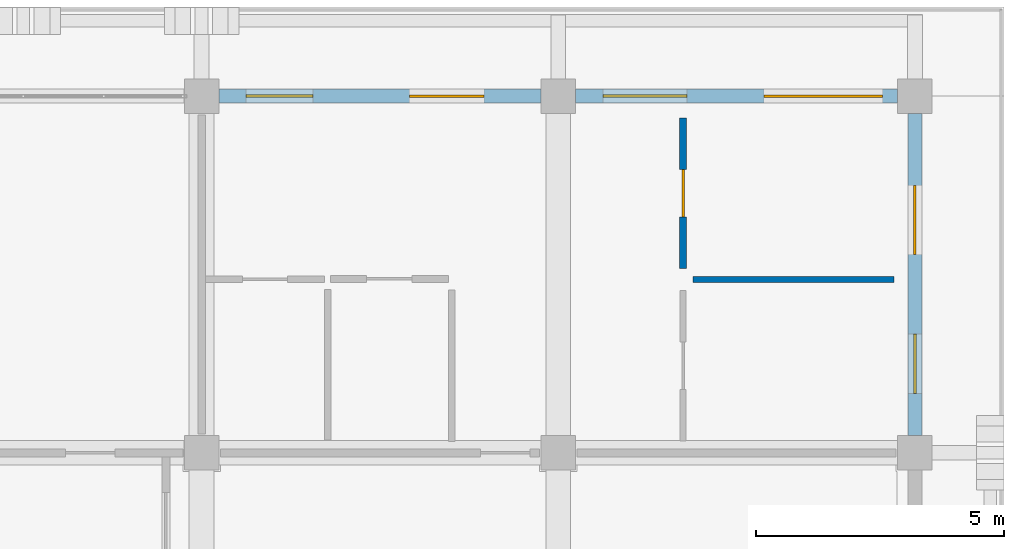
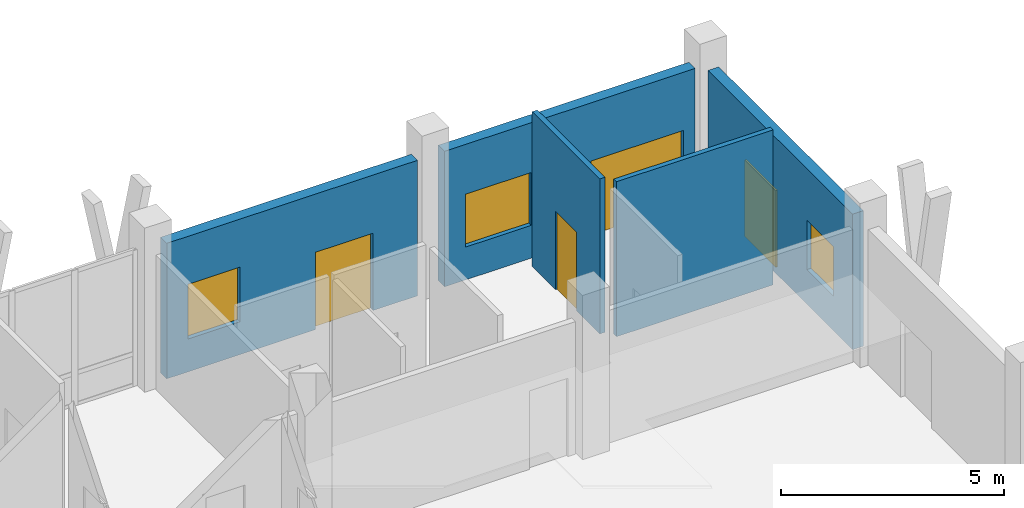
# One storey, part 91 of 110: 5 walls, 4 doors, 3 windows, 7 openings.
"""IFC4 building model written with IfcOpenShell, lengths in metres."""

from ifc_helpers import new_model, si_unit, direction, frame, frame_2d, origin, place, context, subcontext, project, spatial, rectangle, extrude, material, layer, layer_set, type_object, element, fill, save


model = new_model("IFC4")

# Units and contexts
model_context = context("Model", 3, precision=1e-05, world=origin(), true_north=direction((0.0, 1.0)))
body_context = subcontext(model_context, "Body", "Model", "MODEL_VIEW")
ifc_project = project(units=[si_unit("LENGTHUNIT", "METRE"), si_unit("AREAUNIT", "SQUARE_METRE"), si_unit("VOLUMEUNIT", "CUBIC_METRE"), si_unit("PLANEANGLEUNIT", "RADIAN"), si_unit("MASSUNIT", "GRAM", prefix="KILO")], contexts=[model_context])

# Site, building, storey
site_placement = place(None, origin())
site = spatial("IfcSite", under=ifc_project, at=site_placement, CompositionType="ELEMENT")
building_placement = place(site_placement, origin())
building = spatial("IfcBuilding", under=site, at=building_placement, Name="Suanplinth Sawtooth Commons", CompositionType="ELEMENT")
storey_placement = place(building_placement, frame((0.0, 0.0, 4.5)))
storey = spatial("IfcBuildingStorey", under=building, at=storey_placement, Name="L01", CompositionType="ELEMENT", Elevation=4.5)

# Wall, openings, door, window
ifc_material_1 = material(Name="Precast concrete C40/50", Category="concrete")
ifc_layer_1 = layer(ifc_material_1, 0.280029296875, Name="Insulated precast architectural facade wall 280mm")
ifc_layer_set_1 = layer_set([ifc_layer_1], Name="Precast concrete C40/50")
wall_type_1 = type_object("IfcWallType", Name="W-EX01", PredefinedType="ELEMENTEDWALL", material=ifc_layer_set_1)
wall_1_placement = place(storey_placement, frame((173.14990234375, 122.39990234375, 0.0), z_axis=(0.0, 0.0, 1.0), x_axis=(1.0, 0.0, 0.0)))
wall_1 = element("IfcWall", 1, at=wall_1_placement, inside=storey, type_object=wall_type_1, Name="Facade Wall W-L01-B-N-24-16", PredefinedType="ELEMENTEDWALL", context=body_context, shape_type="SweptSolid", body=[
    extrude(rectangle(XDim=6.5, YDim=0.280029296875, at=frame_2d((3.25, 0.0))), origin(), (0.0, 0.0, 1.0), 3.715087890625),
])
opening_1_placement = place(wall_1_placement, frame((3.85009765625, 0.0, 0.0)))
opening_1 = element("IfcOpeningElement", 2, at=opening_1_placement, cuts=wall_1, Name="Opening ED0078", PredefinedType="OPENING", context=body_context, shape_type="SweptSolid", body=[
    extrude(rectangle(XDim=1.5, YDim=2.1201171875, at=frame_2d((0.75, 1.06005859375))), frame((0.0, 0.15478515625, 0.0), z_axis=(0.0, -1.0, 0.0), x_axis=(1.0, 0.0, 0.0)), (0.0, 0.0, 1.0), 0.309814453125),
])
opening_2_placement = place(wall_1_placement, frame((0.550048828125, 0.0, 0.89990234375)))
opening_2 = element("IfcOpeningElement", 3, at=opening_2_placement, cuts=wall_1, Name="Opening W0201", PredefinedType="OPENING", context=body_context, shape_type="SweptSolid", body=[
    extrude(rectangle(XDim=1.35009765625, YDim=1.5, at=frame_2d((0.675048828125, 0.75))), frame((0.0, 0.15478515625, 0.0), z_axis=(0.0, -1.0, 0.0), x_axis=(1.0, 0.0, 0.0)), (0.0, 0.0, 1.0), 0.309814453125),
])
ifc_material_2 = material(Name="Anodized aluminium and low-E glass", Category="aluminium")
door_type_1 = type_object("IfcDoorType", Name="SD-03", OperationType="SLIDING_TO_LEFT", PredefinedType="DOOR", material=ifc_material_2)
door_1_placement = place(opening_1_placement, frame((1.5, 0.0, 0.0), z_axis=(0.0, 0.0, 1.0), x_axis=(-1.0, 0.0, 0.0)))
door_1 = element("IfcDoor", 4, at=door_1_placement, inside=storey, type_object=door_type_1, Name="Balcony Sliding Door L01-B-24", OperationType="SLIDING_TO_LEFT", OverallHeight=2.1201171875, OverallWidth=1.5, PredefinedType="DOOR", context=body_context, shape_type="SweptSolid", body=[
    extrude(rectangle(XDim=1.5, YDim=2.1201171875, at=frame_2d((0.75, 1.06005859375))), frame((0.0, 0.02490234375, 0.0), z_axis=(0.0, -1.0, 0.0), x_axis=(1.0, 0.0, 0.0)), (0.0, 0.0, 1.0), 0.050048828125),
])
fill(opening_1, door_1)
ifc_material_3 = material(Name="Thermally broken aluminium and low-E double glazing", Category="aluminium")
window_type_1 = type_object("IfcWindowType", Name="WN-14", PartitioningType="SINGLE_PANEL", PredefinedType="WINDOW", material=ifc_material_3)
window_1_placement = place(opening_2_placement, origin())
window_1 = element("IfcWindow", 5, at=window_1_placement, inside=storey, type_object=window_type_1, Name="Apartment Window L01-B-24", OverallHeight=1.5, OverallWidth=1.35009765625, PartitioningType="SINGLE_PANEL", PredefinedType="WINDOW", context=body_context, shape_type="SweptSolid", body=[
    extrude(rectangle(XDim=1.35009765625, YDim=1.5, at=frame_2d((0.675048828125, 0.75))), frame((0.0, 0.030029296875, 0.0), z_axis=(0.0, -1.0, 0.0), x_axis=(1.0, 0.0, 0.0)), (0.0, 0.0, 1.0), 0.06005859375),
])
fill(opening_2, window_1)

wall_2_placement = place(storey_placement, frame((180.35009765625, 122.39990234375, 0.0), z_axis=(0.0, 0.0, 1.0), x_axis=(1.0, 0.0, 0.0)))
wall_2 = element("IfcWall", 6, at=wall_2_placement, inside=storey, type_object=wall_type_1, Name="Facade Wall W-L01-B-N-25-16", PredefinedType="ELEMENTEDWALL", context=body_context, shape_type="SweptSolid", body=[
    extrude(rectangle(XDim=6.5, YDim=0.280029296875, at=frame_2d((3.25, 0.0))), origin(), (0.0, 0.0, 1.0), 3.715087890625),
])
opening_3_placement = place(wall_2_placement, frame((3.800048828125, 0.0, 0.0)))
opening_3 = element("IfcOpeningElement", 7, at=opening_3_placement, cuts=wall_2, Name="Opening ED0085", PredefinedType="OPENING", context=body_context, shape_type="SweptSolid", body=[
    extrude(rectangle(XDim=2.39990234375, YDim=2.1201171875, at=frame_2d((1.199951171875, 1.06005859375))), frame((0.0, 0.15478515625, 0.0), z_axis=(0.0, -1.0, 0.0), x_axis=(1.0, 0.0, 0.0)), (0.0, 0.0, 1.0), 0.309814453125),
])
opening_4_placement = place(wall_2_placement, frame((0.550048828125, 0.0, 0.89990234375)))
opening_4 = element("IfcOpeningElement", 8, at=opening_4_placement, cuts=wall_2, Name="Opening W0206", PredefinedType="OPENING", context=body_context, shape_type="SweptSolid", body=[
    extrude(rectangle(XDim=1.699951171875, YDim=1.449951171875, at=frame_2d((0.85009765625, 0.72509765625))), frame((0.0, 0.15478515625, 0.0), z_axis=(0.0, -1.0, 0.0), x_axis=(1.0, 0.0, 0.0)), (0.0, 0.0, 1.0), 0.309814453125),
])
door_type_2 = type_object("IfcDoorType", Name="SD-04", OperationType="DOUBLE_DOOR_SLIDING", PredefinedType="DOOR", material=ifc_material_2)
door_2_placement = place(opening_3_placement, frame((2.39990234375, 0.0, 0.0), z_axis=(0.0, 0.0, 1.0), x_axis=(-1.0, 0.0, 0.0)))
door_2 = element("IfcDoor", 9, at=door_2_placement, inside=storey, type_object=door_type_2, Name="Balcony Sliding Door L01-B-25", OperationType="DOUBLE_DOOR_SLIDING", OverallHeight=2.1201171875, OverallWidth=2.39990234375, PredefinedType="DOOR", context=body_context, shape_type="SweptSolid", body=[
    extrude(rectangle(XDim=2.39990234375, YDim=2.1201171875, at=frame_2d((1.199951171875, 1.06005859375))), frame((0.0, 0.02490234375, 0.0), z_axis=(0.0, -1.0, 0.0), x_axis=(1.0, 0.0, 0.0)), (0.0, 0.0, 1.0), 0.050048828125),
])
fill(opening_3, door_2)
window_type_2 = type_object("IfcWindowType", Name="WN-15", PartitioningType="DOUBLE_PANEL_VERTICAL", PredefinedType="WINDOW", material=ifc_material_3)
window_2_placement = place(opening_4_placement, origin())
window_2 = element("IfcWindow", 10, at=window_2_placement, inside=storey, type_object=window_type_2, Name="Apartment Window L01-B-25", OverallHeight=1.449951171875, OverallWidth=1.699951171875, PartitioningType="DOUBLE_PANEL_VERTICAL", PredefinedType="WINDOW", context=body_context, shape_type="SweptSolid", body=[
    extrude(rectangle(XDim=1.699951171875, YDim=1.449951171875, at=frame_2d((0.85009765625, 0.72509765625))), frame((0.0, 0.030029296875, 0.0), z_axis=(0.0, -1.0, 0.0), x_axis=(1.0, 0.0, 0.0)), (0.0, 0.0, 1.0), 0.06005859375),
])
fill(opening_4, window_2)

wall_3_placement = place(storey_placement, frame((187.199951171875, 115.550048828125, 0.0), z_axis=(0.0, 0.0, 1.0), x_axis=(0.0, 1.0, 0.0)))
wall_3 = element("IfcWall", 11, at=wall_3_placement, inside=storey, type_object=wall_type_1, Name="Facade Wall W-L01-B-E-25-16", PredefinedType="ELEMENTEDWALL", context=body_context, shape_type="SweptSolid", body=[
    extrude(rectangle(XDim=6.5, YDim=0.280029296875, at=frame_2d((3.25, 0.0))), origin(), (0.0, 0.0, 1.0), 3.715087890625),
])
opening_5_placement = place(wall_3_placement, frame((3.64990234375, 0.0, 0.0)))
opening_5 = element("IfcOpeningElement", 12, at=opening_5_placement, cuts=wall_3, Name="Opening ED0086", PredefinedType="OPENING", context=body_context, shape_type="SweptSolid", body=[
    extrude(rectangle(XDim=1.39990234375, YDim=2.10009765625, at=frame_2d((0.699951171875, 1.050048828125))), frame((0.0, 0.15478515625, 0.0), z_axis=(0.0, -1.0, 0.0), x_axis=(1.0, 0.0, 0.0)), (0.0, 0.0, 1.0), 0.309814453125),
])
opening_6_placement = place(wall_3_placement, frame((0.85009765625, 0.0, 0.949951171875)))
opening_6 = element("IfcOpeningElement", 13, at=opening_6_placement, cuts=wall_3, Name="Opening W0207", PredefinedType="OPENING", context=body_context, shape_type="SweptSolid", body=[
    extrude(rectangle(XDim=1.199951171875, YDim=1.35009765625, at=frame_2d((0.60009765625, 0.675048828125))), frame((0.0, 0.15478515625, 0.0), z_axis=(0.0, -1.0, 0.0), x_axis=(1.0, 0.0, 0.0)), (0.0, 0.0, 1.0), 0.309814453125),
])
door_type_3 = type_object("IfcDoorType", Name="SD-07", OperationType="SLIDING_TO_RIGHT", PredefinedType="DOOR", material=ifc_material_2)
door_3_placement = place(opening_5_placement, frame((1.39990234375, 0.0, 0.0), z_axis=(0.0, 0.0, 1.0), x_axis=(-1.0, 0.0, 0.0)))
door_3 = element("IfcDoor", 14, at=door_3_placement, inside=storey, type_object=door_type_3, Name="End Balcony Sliding Door L01-B-E-25-16", OperationType="SLIDING_TO_RIGHT", OverallHeight=2.10009765625, OverallWidth=1.39990234375, PredefinedType="DOOR", context=body_context, shape_type="SweptSolid", body=[
    extrude(rectangle(XDim=1.39990234375, YDim=2.10009765625, at=frame_2d((0.699951171875, 1.050048828125))), frame((0.0, 0.02490234375, 0.0), z_axis=(0.0, -1.0, 0.0), x_axis=(1.0, 0.0, 0.0)), (0.0, 0.0, 1.0), 0.050048828125),
])
fill(opening_5, door_3)
window_type_3 = type_object("IfcWindowType", Name="WN-03", PartitioningType="SINGLE_PANEL", PredefinedType="WINDOW", material=ifc_material_3)
window_3_placement = place(opening_6_placement, origin())
window_3 = element("IfcWindow", 15, at=window_3_placement, inside=storey, type_object=window_type_3, Name="End Bedroom Window L01-B-25-16", OverallHeight=1.35009765625, OverallWidth=1.199951171875, PartitioningType="SINGLE_PANEL", PredefinedType="WINDOW", context=body_context, shape_type="SweptSolid", body=[
    extrude(rectangle(XDim=1.199951171875, YDim=1.35009765625, at=frame_2d((0.60009765625, 0.675048828125))), frame((0.0, 0.030029296875, 0.0), z_axis=(0.0, -1.0, 0.0), x_axis=(1.0, 0.0, 0.0)), (0.0, 0.0, 1.0), 0.06005859375),
])
fill(opening_6, window_3)

# Wall
ifc_material_4 = material(Name="Gypsum plasterboard on steel stud", Category="steel")
ifc_layer_2 = layer(ifc_material_4, 0.125, Name="Acoustic study partition 125mm")
ifc_layer_set_2 = layer_set([ifc_layer_2], Name="Gypsum plasterboard on steel stud")
wall_type_2 = type_object("IfcWallType", Name="W-PT06", PredefinedType="PARTITIONING", material=ifc_layer_set_2)
wall_4_placement = place(storey_placement, frame((182.719970703125, 118.699951171875, 0.0), z_axis=(0.0, 0.0, 1.0), x_axis=(1.0, 0.0, 0.0)))
element("IfcWall", 16, at=wall_4_placement, inside=storey, type_object=wall_type_2, Name="W-B-L01-U06-BEDDIV", PredefinedType="PARTITIONING", context=body_context, shape_type="SweptSolid", body=[
    extrude(rectangle(XDim=4.06005859375, YDim=0.125, at=frame_2d((2.030029296875, 0.0))), origin(), (0.0, 0.0, 1.0), 4.25),
])

# Wall, opening, door
ifc_layer_3 = layer(ifc_material_4, 0.135009765625, Name="Insulated bedroom demising partition 135mm")
ifc_layer_set_3 = layer_set([ifc_layer_3], Name="Gypsum plasterboard on steel stud")
wall_type_3 = type_object("IfcWallType", Name="W-PT07", PredefinedType="PARTITIONING", material=ifc_layer_set_3)
wall_5_placement = place(storey_placement, frame((182.52001953125, 118.919921875, 0.0), z_axis=(0.0, 0.0, 1.0), x_axis=(0.0, 1.0, 0.0)))
wall_5 = element("IfcWall", 17, at=wall_5_placement, inside=storey, type_object=wall_type_3, Name="W-B-L01-U06-BED1", PredefinedType="PARTITIONING", context=body_context, shape_type="SweptSolid", body=[
    extrude(rectangle(XDim=3.0400390625, YDim=0.135009765625, at=frame_2d((1.52001953125, 0.0))), origin(), (0.0, 0.0, 1.0), 4.25),
])
opening_7_placement = place(wall_5_placement, frame((1.044921875, 0.0, 0.0)))
opening_7 = element("IfcOpeningElement", 18, at=opening_7_placement, cuts=wall_5, Name="Opening D0599", PredefinedType="OPENING", context=body_context, shape_type="SweptSolid", body=[
    extrude(rectangle(XDim=0.949951171875, YDim=2.14990234375, at=frame_2d((0.47509765625, 1.074951171875))), frame((0.0, 0.08251953125, 0.0), z_axis=(0.0, -1.0, 0.0), x_axis=(1.0, 0.0, 0.0)), (0.0, 0.0, 1.0), 0.164794921875),
])
ifc_material_5 = material(Name="Teak hardwood", Category="wood")
door_type_4 = type_object("IfcDoorType", Name="D-03", OperationType="NOTDEFINED", PredefinedType="DOOR", material=ifc_material_5)
door_4_placement = place(opening_7_placement, frame((0.949951171875, 0.0, 0.0), z_axis=(0.0, 0.0, 1.0), x_axis=(-1.0, 0.0, 0.0)))
door_4 = element("IfcDoor", 19, at=door_4_placement, inside=storey, type_object=door_type_4, Name="Bedroom Door D0599", OperationType="SINGLE_SWING_LEFT", OverallHeight=2.14990234375, OverallWidth=0.949951171875, PredefinedType="DOOR", context=body_context, shape_type="SweptSolid", body=[
    extrude(rectangle(XDim=0.949951171875, YDim=2.14990234375, at=frame_2d((0.47509765625, 1.074951171875))), frame((0.0, 0.02490234375, 0.0), z_axis=(0.0, -1.0, 0.0), x_axis=(1.0, 0.0, 0.0)), (0.0, 0.0, 1.0), 0.050048828125),
])
fill(opening_7, door_4)

save(model, "model.ifc")
